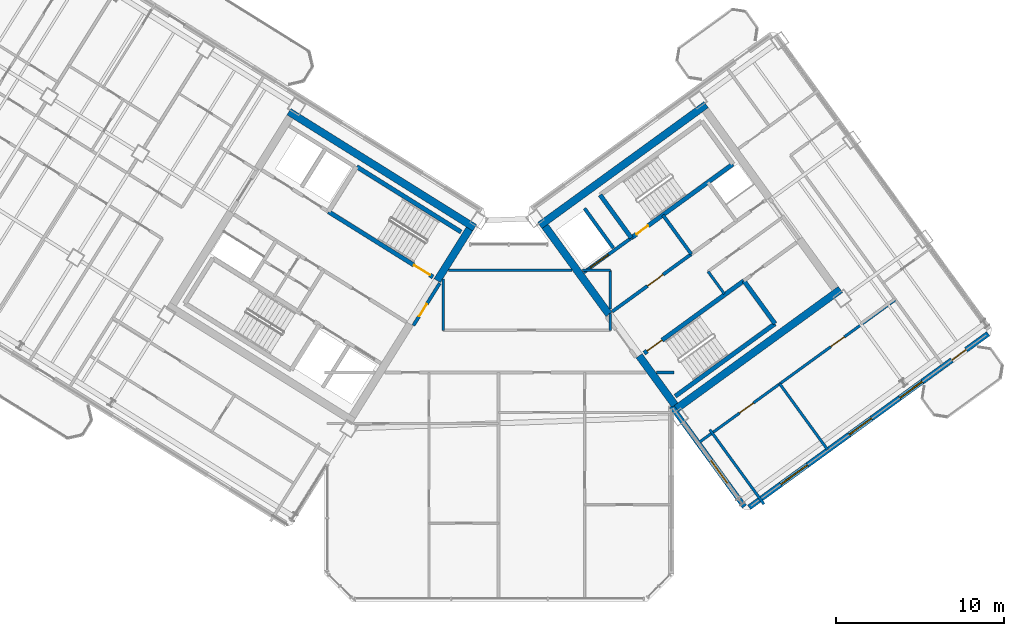
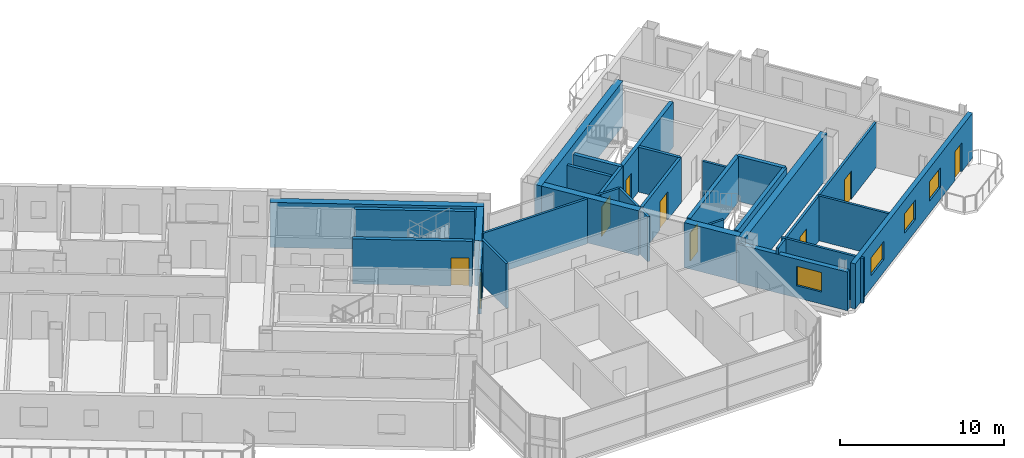
# One storey, part 19 of 29: 30 walls, 9 doors, 4 windows, 13 openings.
"""IFC4 building model written with IfcOpenShell, lengths in metres."""

import ifcopenshell
import ifcopenshell.guid

model = None  # the IFC model being written
_history = None  # IfcOwnerHistory: only IFC2X3 demands one
_inside = {}  # id of a spatial element -> (the spatial element, [elements in it])
_under = {}  # id of a project, library or spatial element -> (it, [spatial elements below it])
_declared = {}  # id of a project -> (the project, [libraries it declares])
_typed = {}  # id of a type object -> (the type object, [elements of that type])
_made_of = {}  # id of a material, layer set ... -> (it, [elements and type objects made of it])


def new_model(schema):
    """Start an empty IFC model of exactly this schema.

    Asked for "IFC4X3", IfcOpenShell would pick the latest addendum, in which some entities
    have other attributes; the version numbers below select the first issue.
    IFC2X3 requires an IfcOwnerHistory on every rooted entity: one is made here for all.
    """
    global model, _history
    if schema == "IFC4X3":
        model = ifcopenshell.file(schema_version=(4, 3, 0, 0))
    else:
        model = ifcopenshell.file(schema=schema)
    _inside.clear()
    _under.clear()
    _declared.clear()
    _typed.clear()
    _made_of.clear()
    _history = None
    if model.schema == "IFC2X3":
        org = make("IfcOrganization", Name="unknown")
        user = make(
            "IfcPersonAndOrganization",
            ThePerson=make("IfcPerson", FamilyName="unknown"),
            TheOrganization=org,
        )
        app = make(
            "IfcApplication",
            ApplicationDeveloper=org,
            Version="unknown",
            ApplicationFullName="unknown",
            ApplicationIdentifier="unknown",
        )
        _history = make(
            "IfcOwnerHistory",
            OwningUser=user,
            OwningApplication=app,
            ChangeAction="ADDED",
            CreationDate=0,
        )
    return model


def make(cls, **values):
    """One entity of the class cls with the attributes given. An attribute that is None is left unset."""
    return model.create_entity(
        cls, **{name: value for name, value in values.items() if value is not None}
    )


def rooted(cls, **values):
    """An entity with a GlobalId (a new one), such as an element, a storey or a relation."""
    return make(cls, GlobalId=ifcopenshell.guid.new(), OwnerHistory=_history, **values)


def si_unit(unit_type, name, prefix=None):
    """IfcSIUnit, for example si_unit("LENGTHUNIT", "METRE", prefix="MILLI")."""
    return make("IfcSIUnit", UnitType=unit_type, Prefix=prefix, Name=name)


def assignment(units):
    """IfcUnitAssignment: the units of a project."""
    return None if units is None else make("IfcUnitAssignment", Units=units)


def point(xyz):
    """IfcCartesianPoint."""
    return None if xyz is None else make("IfcCartesianPoint", Coordinates=xyz)


def direction(xyz):
    """IfcDirection."""
    return None if xyz is None else make("IfcDirection", DirectionRatios=xyz)


def frame(location, z_axis=None, x_axis=None):
    """IfcAxis2Placement3D, a coordinate frame: its origin and axes. An axis left out is left unset."""
    return make(
        "IfcAxis2Placement3D",
        Location=point(location),
        Axis=direction(z_axis),
        RefDirection=direction(x_axis),
    )


def frame_2d(location, x_axis=None):
    """IfcAxis2Placement2D, a coordinate frame in the plane: its origin and x axis."""
    return make(
        "IfcAxis2Placement2D", Location=point(location), RefDirection=direction(x_axis)
    )


def origin():
    """The frame at (0, 0, 0) with its axes left unset."""
    return frame((0.0, 0.0, 0.0))


def place(relative_to, where):
    """IfcLocalPlacement: puts the frame where relative to a parent placement (None: the world)."""
    return make(
        "IfcLocalPlacement", PlacementRelTo=relative_to, RelativePlacement=where
    )


def context(
    kind, dimensions, precision=None, world=None, true_north=None, identifier=None
):
    """IfcGeometricRepresentationContext, for example the 3D "Model" context."""
    return make(
        "IfcGeometricRepresentationContext",
        ContextIdentifier=identifier,
        ContextType=kind,
        CoordinateSpaceDimension=dimensions,
        Precision=precision,
        WorldCoordinateSystem=world,
        TrueNorth=true_north,
    )


def subcontext(parent, identifier, kind, view, scale=None):
    """IfcGeometricRepresentationSubContext, for example "Body" below "Model"."""
    return make(
        "IfcGeometricRepresentationSubContext",
        ContextIdentifier=identifier,
        ContextType=kind,
        ParentContext=parent,
        TargetScale=scale,
        TargetView=view,
    )


def project(units=None, contexts=None):
    """IfcProject with its units and contexts."""
    return rooted(
        "IfcProject",
        Name="project",
        RepresentationContexts=contexts,
        UnitsInContext=assignment(units),
    )


def spatial(cls, under=None, at=None, **own):
    """A site, building, storey or space (cls), placed at a placement, below another one or the project."""
    s = rooted(cls, ObjectPlacement=at, **own)
    if under is not None:
        _under.setdefault(under.id(), (under, []))[1].append(s)
    return s


def profile(cls, at=None, kind="AREA", **sizes):
    """A parametric profile (cls). Its sizes go by their IFC names, for example OverallWidth=200.0."""
    return make(cls, ProfileType=kind, Position=at, **sizes)


def rectangle(**sizes):
    """IfcRectangleProfileDef."""
    return profile("IfcRectangleProfileDef", **sizes)


def extrude(swept, where, along, depth):
    """IfcExtrudedAreaSolid: the profile swept, set in the frame where, extruded along a direction by depth."""
    return make(
        "IfcExtrudedAreaSolid",
        SweptArea=swept,
        Position=where,
        ExtrudedDirection=direction(along),
        Depth=depth,
    )


def shape(context_of_items, identifier, shape_type, items):
    """IfcShapeRepresentation: the items that make up one representation, for example the "Body"."""
    return make(
        "IfcShapeRepresentation",
        ContextOfItems=context_of_items,
        RepresentationIdentifier=identifier,
        RepresentationType=shape_type,
        Items=items,
    )


def source(mapping_origin, context_of_items, identifier, shape_type, items):
    """IfcRepresentationMap: a shape defined once, which mapped items show again and again."""
    return make(
        "IfcRepresentationMap",
        MappingOrigin=mapping_origin,
        MappedRepresentation=shape(context_of_items, identifier, shape_type, items),
    )


def transform(
    local_origin,
    x_axis=None,
    y_axis=None,
    z_axis=None,
    scale=None,
    scale2=None,
    scale3=None,
    uniform=True,
):
    """IfcCartesianTransformationOperator3D, or its non-uniform kind. x_axis, y_axis, z_axis: its Axis1, 2, 3."""
    if uniform:
        return make(
            "IfcCartesianTransformationOperator3D",
            Axis1=direction(x_axis),
            Axis2=direction(y_axis),
            LocalOrigin=point(local_origin),
            Scale=scale,
            Axis3=direction(z_axis),
        )
    return make(
        "IfcCartesianTransformationOperator3DnonUniform",
        Axis1=direction(x_axis),
        Axis2=direction(y_axis),
        LocalOrigin=point(local_origin),
        Scale=scale,
        Axis3=direction(z_axis),
        Scale2=scale2,
        Scale3=scale3,
    )


def mapped(mapping_source, mapping_target):
    """IfcMappedItem: shows the shape of a source again, moved by a transform."""
    return make(
        "IfcMappedItem", MappingSource=mapping_source, MappingTarget=mapping_target
    )


def material(Name=None, Category=None):
    """IfcMaterial."""
    return make("IfcMaterial", Name=Name, Category=Category)


def layer(
    of_material, thickness, ventilated=None, Name=None, Category=None, Priority=None
):
    """IfcMaterialLayer: one layer of a wall or slab, of a material (None: an air gap)."""
    return make(
        "IfcMaterialLayer",
        Material=of_material,
        LayerThickness=thickness,
        IsVentilated=ventilated,
        Name=Name,
        Category=Category,
        Priority=Priority,
    )


def layer_set(layers, Name=None):
    """IfcMaterialLayerSet."""
    return make("IfcMaterialLayerSet", MaterialLayers=layers, LayerSetName=Name)


def made_of(thing, what):
    """Note that an element or type object is made of a material, layer set ...; save() writes the relation."""
    if what is not None:
        _made_of.setdefault(what.id(), (what, []))[1].append(thing)
    return thing


def type_object(cls, material=None, **own):
    """A type object (cls), such as IfcWallType, which elements share."""
    return made_of(rooted(cls, **own), material)


def element(
    cls,
    number,
    at=None,
    inside=None,
    cuts=None,
    type_object=None,
    material=None,
    context=None,
    identifier="Body",
    shape_type=None,
    held_by="IfcProductDefinitionShape",
    body=None,
    shapes=None,
    **own,
):
    """One element of the class cls, such as IfcWall. Its Tag is "e" and its number.

    at: its placement. inside: the storey or other place that contains it. cuts: it is an
    opening in that element (IfcRelVoidsElement). A single representation is given by context,
    identifier, shape_type and body (its items); several are given by shapes. held_by: the class
    of the entity that holds the representations. save() writes the other relations.
    """
    e = rooted(cls, Tag="e%d" % number, ObjectPlacement=at, **own)
    if body is not None:
        shapes = [shape(context, identifier, shape_type, body)]
    if shapes is not None:
        e.Representation = make(held_by, Representations=shapes)
    if inside is not None:
        _inside.setdefault(inside.id(), (inside, []))[1].append(e)
    if cuts is not None:
        rooted(
            "IfcRelVoidsElement", RelatingBuildingElement=cuts, RelatedOpeningElement=e
        )
    if type_object is not None:
        _typed.setdefault(type_object.id(), (type_object, []))[1].append(e)
    return made_of(e, material)


def fill(opening, filler):
    """IfcRelFillsElement: the door or window that sits in an opening."""
    return rooted(
        "IfcRelFillsElement",
        RelatingOpeningElement=opening,
        RelatedBuildingElement=filler,
    )


def aggregate(whole, parts):
    """IfcRelAggregates: a whole, such as a stair, and the parts it consists of."""
    return rooted("IfcRelAggregates", RelatingObject=whole, RelatedObjects=parts)


def save(model, path):
    """Write the relations noted so far, then the file.

    IfcRelAggregates (storeys below a building ...), IfcRelContainedInSpatialStructure (elements
    in a storey), IfcRelDefinesByType, IfcRelAssociatesMaterial and IfcRelDeclares: one each for
    every whole, place, type object, material and project.
    """
    for whole, parts in _under.values():
        aggregate(whole, parts)
    for where, things in _inside.values():
        rooted(
            "IfcRelContainedInSpatialStructure",
            RelatedElements=things,
            RelatingStructure=where,
        )
    for kind, things in _typed.values():
        rooted("IfcRelDefinesByType", RelatedObjects=things, RelatingType=kind)
    for what, things in _made_of.values():
        rooted("IfcRelAssociatesMaterial", RelatedObjects=things, RelatingMaterial=what)
    for by, libraries in _declared.values():
        rooted("IfcRelDeclares", RelatingContext=by, RelatedDefinitions=libraries)
    model.write(path)


model = new_model("IFC4")

# Units and contexts
model_context = context("Model", 3, precision=1e-05, world=origin(), true_north=direction((0.0, 1.0)))
body_context = subcontext(model_context, "Body", "Model", "MODEL_VIEW")
ifc_project = project(units=[si_unit("LENGTHUNIT", "METRE"), si_unit("AREAUNIT", "SQUARE_METRE"), si_unit("VOLUMEUNIT", "CUBIC_METRE"), si_unit("PLANEANGLEUNIT", "RADIAN"), si_unit("MASSUNIT", "GRAM", prefix="KILO")], contexts=[model_context])

# Site, building, storey
site_placement = place(None, origin())
site = spatial("IfcSite", under=ifc_project, at=site_placement, CompositionType="ELEMENT")
building_placement = place(site_placement, origin())
building = spatial("IfcBuilding", under=site, at=building_placement, Name="Tlacorven Tower", CompositionType="ELEMENT")
storey_placement = place(building_placement, frame((0.0, 0.0, 238.5)))
storey = spatial("IfcBuildingStorey", under=building, at=storey_placement, Name="L60", CompositionType="ELEMENT", Elevation=238.5)

# Walls
ifc_material_1 = material(Name="Concrete C50/60", Category="concrete")
ifc_layer_1 = layer(ifc_material_1, 0.449951171875)
ifc_layer_set_1 = layer_set([ifc_layer_1], Name="Concrete C50/60")
wall_type_1 = type_object("IfcWallType", Name="WL-COR-450", PredefinedType="SHEAR", material=ifc_layer_set_1)
wall_1_placement = place(storey_placement, frame((40.53076171875, 24.036376953125, 0.0), z_axis=(0.0, 0.0, 1.0), x_axis=(-0.848048787466, 0.529918157905, 0.0)))
element("IfcWall", 1, at=wall_1_placement, inside=storey, type_object=wall_type_1, Name="L60 W core shear wall S1", PredefinedType="SHEAR", context=body_context, shape_type="SweptSolid", body=[
    extrude(rectangle(XDim=13.0400390625, YDim=0.449951171875, at=frame_2d((6.52001953125, 0.0))), origin(), (0.0, 0.0, 1.0), 3.35009765625),
])
wall_2_placement = place(storey_placement, frame((40.220703125, 23.96484375, 0.0), z_axis=(0.0, 0.0, 1.0), x_axis=(-0.529902075036, -0.848058836916, 0.0)))
element("IfcWall", 2, at=wall_2_placement, inside=storey, type_object=wall_type_1, Name="L60 W core end wall E1.1", PredefinedType="SHEAR", context=body_context, shape_type="SweptSolid", body=[
    extrude(rectangle(XDim=3.625, YDim=0.449951171875, at=frame_2d((1.8125, 0.0))), origin(), (0.0, 0.0, 1.0), 3.35009765625),
])
for number, where, z_axis, x_axis, name in (
    (3, (52.3994140625, 13.169189453125, 0.0), (0.0, 0.0, 1.0), (0.809022352778, 0.587777877013, 0.0), "L60 E core shear wall S1"),
    (4, (44.405517578125, 24.171630859375, 0.0), (0.0, 0.0, 1.0), (0.809012867805, 0.587790931986, 0.0), "L60 E core shear wall S2"),
):
    element("IfcWall", number, at=place(storey_placement, frame(where, z_axis=z_axis, x_axis=x_axis)), inside=storey, type_object=wall_type_1, Name=name, PredefinedType="SHEAR", context=body_context, shape_type="SweptSolid", body=[
        extrude(rectangle(XDim=12.239990234375, YDim=0.449951171875, at=frame_2d((6.1201171875, 0.0))), origin(), (0.0, 0.0, 1.0), 3.35009765625),
    ])
wall_3_placement = place(storey_placement, frame((52.44921875, 13.4833984375, 0.0), z_axis=(0.0, 0.0, 1.0), x_axis=(-0.587819244441, 0.808992296542, 0.0)))
element("IfcWall", 5, at=wall_3_placement, inside=storey, type_object=wall_type_1, Name="L60 E core end wall E1.1", PredefinedType="SHEAR", context=body_context, shape_type="SweptSolid", body=[
    extrude(rectangle(XDim=3.625, YDim=0.449951171875, at=frame_2d((1.8125, 0.0))), origin(), (0.0, 0.0, 1.0), 3.35009765625),
])
wall_4_placement = place(storey_placement, frame((48.525634765625, 18.883544921875, 0.0), z_axis=(0.0, 0.0, 1.0), x_axis=(-0.587774812919, 0.809024578921, 0.0)))
element("IfcWall", 6, at=wall_4_placement, inside=storey, type_object=wall_type_1, Name="L60 E core end wall E1.2", PredefinedType="SHEAR", context=body_context, shape_type="SweptSolid", body=[
    extrude(rectangle(XDim=6.47509765625, YDim=0.449951171875, at=frame_2d((3.237548828125, 0.0))), origin(), (0.0, 0.0, 1.0), 3.35009765625),
])
ifc_material_2 = material(Name="Gypsum plasterboard acoustic partition", Category="gypsum")
ifc_layer_2 = layer(ifc_material_2, 0.159912109375)
ifc_layer_set_2 = layer_set([ifc_layer_2], Name="Gypsum plasterboard acoustic partition")
wall_type_2 = type_object("IfcWallType", Name="WL-DEM-160", PredefinedType="PARTITIONING", material=ifc_layer_set_2)
wall_5_placement = place(storey_placement, frame((55.390869140625, 20.1015625, 0.0), z_axis=(0.0, 0.0, 1.0), x_axis=(-0.58778447739, 0.809017557374, 0.0)))
element("IfcWall", 7, at=wall_5_placement, inside=storey, type_object=wall_type_2, Name="L60 partition 32", PredefinedType="PARTITIONING", context=body_context, shape_type="SweptSolid", body=[
    extrude(rectangle(XDim=1.64990234375, YDim=0.159912109375, at=frame_2d((0.824951171875, 0.0))), origin(), (0.0, 0.0, 1.0), 3.340087890625),
])
wall_6_placement = place(storey_placement, frame((51.353515625, 15.419921875, 0.0), z_axis=(0.0, 0.0, 1.0), x_axis=(1.0, 0.0, 0.0)))
element("IfcWall", 8, at=wall_6_placement, inside=storey, type_object=wall_type_2, Name="L60 Knuckle Corridor South Wall", PredefinedType="PARTITIONING", context=body_context, shape_type="SweptSolid", body=[
    extrude(rectangle(XDim=1.04638671875, YDim=0.159912109375, at=frame_2d((0.523193359375, 0.0))), origin(), (0.0, 0.0, 1.0), 3.340087890625),
])
wall_7_placement = place(storey_placement, frame((38.64990234375, 17.929931640625, 0.0), z_axis=(0.0, 0.0, 1.0), x_axis=(0.0, 1.0, 0.0)))
element("IfcWall", 9, at=wall_7_placement, inside=storey, type_object=wall_type_2, Name="L60 partition 66", PredefinedType="PARTITIONING", context=body_context, shape_type="SweptSolid", body=[
    extrude(rectangle(XDim=3.045654296875, YDim=0.159912109375, at=frame_2d((1.52294921875, 0.0))), origin(), (0.0, 0.0, 1.0), 3.340087890625),
])
wall_8_placement = place(storey_placement, frame((48.60009765625, 17.929931640625, 0.0), z_axis=(0.0, 0.0, 1.0), x_axis=(0.0, 1.0, 0.0)))
element("IfcWall", 10, at=wall_8_placement, inside=storey, type_object=wall_type_2, Name="L60 partition 67", PredefinedType="PARTITIONING", context=body_context, shape_type="SweptSolid", body=[
    extrude(rectangle(XDim=0.99267578125, YDim=0.159912109375, at=frame_2d((0.496337890625, 0.0))), origin(), (0.0, 0.0, 1.0), 3.340087890625),
])
wall_9_placement = place(storey_placement, frame((48.60009765625, 19.2099609375, 0.0), z_axis=(0.0, 0.0, 1.0), x_axis=(0.0, 1.0, 0.0)))
element("IfcWall", 11, at=wall_9_placement, inside=storey, type_object=wall_type_2, Name="L60 partition 67", PredefinedType="PARTITIONING", context=body_context, shape_type="SweptSolid", body=[
    extrude(rectangle(XDim=2.2900390625, YDim=0.159912109375, at=frame_2d((1.14501953125, 0.0))), origin(), (0.0, 0.0, 1.0), 3.340087890625),
])
wall_10_placement = place(storey_placement, frame((38.9775390625, 21.5, 0.0), z_axis=(0.0, 0.0, 1.0), x_axis=(1.0, 0.0, 0.0)))
element("IfcWall", 12, at=wall_10_placement, inside=storey, type_object=wall_type_2, Name="L60 partition 68", PredefinedType="PARTITIONING", context=body_context, shape_type="SweptSolid", body=[
    extrude(rectangle(XDim=7.335693359375, YDim=0.159912109375, at=frame_2d((3.66796875, 0.0))), origin(), (0.0, 0.0, 1.0), 3.340087890625),
])
wall_11_placement = place(storey_placement, frame((46.936279296875, 21.5, 0.0), z_axis=(0.0, 0.0, 1.0), x_axis=(1.0, 0.0, 0.0)))
element("IfcWall", 13, at=wall_11_placement, inside=storey, type_object=wall_type_2, Name="L60 partition 68", PredefinedType="PARTITIONING", context=body_context, shape_type="SweptSolid", body=[
    extrude(rectangle(XDim=1.663818359375, YDim=0.159912109375, at=frame_2d((0.83203125, 0.0))), origin(), (0.0, 0.0, 1.0), 3.340087890625),
])

# Wall, openings, doors
wall_12_placement = place(storey_placement, frame((53.70458984375, 11.1259765625, 0.0), z_axis=(0.0, 0.0, 1.0), x_axis=(0.809014504436, 0.587788679384, 0.0)))
wall_12 = element("IfcWall", 14, at=wall_12_placement, inside=storey, type_object=wall_type_2, Name="L60 partition 88", PredefinedType="PARTITIONING", context=body_context, shape_type="SweptSolid", body=[
    extrude(rectangle(XDim=14.669921875, YDim=0.159912109375, at=frame_2d((7.3349609375, 0.0))), origin(), (0.0, 0.0, 1.0), 3.340087890625),
])
opening_1_placement = place(wall_12_placement, frame((3.215087890625, 0.0, 0.0)))
opening_1 = element("IfcOpeningElement", 15, at=opening_1_placement, cuts=wall_12, Name="Opening D11", PredefinedType="OPENING", context=body_context, shape_type="SweptSolid", body=[
    extrude(rectangle(XDim=1.0, YDim=2.10009765625, at=frame_2d((0.5, 1.050048828125))), frame((0.0, 0.08984375, 0.0), z_axis=(0.0, -1.0, 0.0), x_axis=(1.0, 0.0, 0.0)), (0.0, 0.0, 1.0), 0.179931640625),
])
opening_2_placement = place(wall_12_placement, frame((9.9150390625, 0.0, 0.0)))
opening_2 = element("IfcOpeningElement", 16, at=opening_2_placement, cuts=wall_12, Name="Opening D11", PredefinedType="OPENING", context=body_context, shape_type="SweptSolid", body=[
    extrude(rectangle(XDim=1.0, YDim=2.10009765625, at=frame_2d((0.5, 1.050048828125))), frame((0.0, 0.08984375, 0.0), z_axis=(0.0, -1.0, 0.0), x_axis=(1.0, 0.0, 0.0)), (0.0, 0.0, 1.0), 0.179931640625),
])
ifc_material_3 = material(Name="Fire-rated steel door assembly", Category="steel")
door_type_1 = type_object("IfcDoorType", Name="DR-FLT-FD60-1000", OperationType="NOTDEFINED", PredefinedType="DOOR", material=ifc_material_3)
shared_shape_1 = source(origin(), body_context, "Body", "SweptSolid", [
    extrude(rectangle(XDim=1.0, YDim=2.10009765625, at=frame_2d((0.5, 1.050048828125))), frame((0.0, 0.02490234375, 0.0), z_axis=(0.0, -1.0, 0.0), x_axis=(1.0, 0.0, 0.0)), (0.0, 0.0, 1.0), 0.050048828125),
])
door_1_placement = place(opening_1_placement, origin())
door_1 = element("IfcDoor", 17, at=door_1_placement, inside=storey, type_object=door_type_1, Name="L60 door 060", OperationType="SINGLE_SWING_LEFT", OverallHeight=2.10009765625, OverallWidth=1.0, PredefinedType="DOOR", context=body_context, shape_type="MappedRepresentation", body=[
    mapped(shared_shape_1, transform((0.0, 0.0, 0.0), scale=1.0)),
])
fill(opening_1, door_1)
door_2_placement = place(opening_2_placement, origin())
door_2 = element("IfcDoor", 18, at=door_2_placement, inside=storey, type_object=door_type_1, Name="L60 door 061", OperationType="SINGLE_SWING_RIGHT", OverallHeight=2.10009765625, OverallWidth=1.0, PredefinedType="DOOR", context=body_context, shape_type="MappedRepresentation", body=[
    mapped(shared_shape_1, transform((0.0, 0.0, 0.0), scale=1.0)),
])
fill(opening_2, door_2)

# Walls
wall_13_placement = place(storey_placement, frame((57.747314453125, 7.586181640625, 0.0), z_axis=(0.0, 0.0, 1.0), x_axis=(-0.587784893399, 0.809017255126, 0.0)))
element("IfcWall", 19, at=wall_13_placement, inside=storey, type_object=wall_type_2, Name="L60 EC West Throat Wall", PredefinedType="PARTITIONING", context=body_context, shape_type="SweptSolid", body=[
    extrude(rectangle(XDim=5.480224609375, YDim=0.159912109375, at=frame_2d((2.740234375, 0.0))), origin(), (0.0, 0.0, 1.0), 3.340087890625),
])
wall_14_placement = place(storey_placement, frame((61.538818359375, 10.822998046875, 0.0), z_axis=(0.0, 0.0, 1.0), x_axis=(-0.587785532001, 0.809016791155, 0.0)))
element("IfcWall", 20, at=wall_14_placement, inside=storey, type_object=wall_type_2, Name="L60 EC Demising Wall 1", PredefinedType="PARTITIONING", context=body_context, shape_type="SweptSolid", body=[
    extrude(rectangle(XDim=4.85009765625, YDim=0.159912109375, at=frame_2d((2.425048828125, 0.0))), origin(), (0.0, 0.0, 1.0), 3.340087890625),
])

# Wall, openings, door, windows
ifc_material_4 = material(Name="Precast concrete C45/55", Category="concrete")
ifc_layer_3 = layer(ifc_material_4, 0.320068359375)
ifc_layer_set_3 = layer_set([ifc_layer_3], Name="Precast concrete C45/55")
wall_type_3 = type_object("IfcWallType", Name="WL-EXT-320", PredefinedType="STANDARD", material=ifc_layer_set_3)
wall_15_placement = place(storey_placement, frame((71.097900390625, 17.73095703125, 0.0), z_axis=(0.0, 0.0, 1.0), x_axis=(-0.809021120468, -0.587779573171, 0.0)))
wall_15 = element("IfcWall", 21, at=wall_15_placement, inside=storey, type_object=wall_type_3, Name="L60 Masonry-Frame Recessed Facade Wall 6", PredefinedType="STANDARD", context=body_context, shape_type="SweptSolid", body=[
    extrude(rectangle(XDim=17.587646484375, YDim=0.320068359375, at=frame_2d((8.7939453125, 0.0))), origin(), (0.0, 0.0, 1.0), 3.35009765625),
])
opening_3_placement = place(wall_15_placement, frame((1.623779296875, 0.0, 0.0)))
opening_3 = element("IfcOpeningElement", 22, at=opening_3_placement, cuts=wall_15, Name="Opening D06", PredefinedType="OPENING", context=body_context, shape_type="SweptSolid", body=[
    extrude(rectangle(XDim=1.050048828125, YDim=2.14990234375, at=frame_2d((0.52490234375, 1.074951171875))), frame((0.0, 0.169921875, 0.0), z_axis=(0.0, -1.0, 0.0), x_axis=(1.0, 0.0, 0.0)), (0.0, 0.0, 1.0), 0.340087890625),
])
opening_4_placement = place(wall_15_placement, frame((4.851318359375, 0.0, 0.89990234375)))
opening_4 = element("IfcOpeningElement", 23, at=opening_4_placement, cuts=wall_15, Name="Opening WN07", PredefinedType="OPENING", context=body_context, shape_type="SweptSolid", body=[
    extrude(rectangle(XDim=1.64990234375, YDim=1.449951171875, at=frame_2d((0.824951171875, 0.72509765625))), frame((0.0, 0.169921875, 0.0), z_axis=(0.0, -1.0, 0.0), x_axis=(1.0, 0.0, 0.0)), (0.0, 0.0, 1.0), 0.340087890625),
])
opening_5_placement = place(wall_15_placement, frame((8.576171875, 0.0, 0.89990234375)))
opening_5 = element("IfcOpeningElement", 24, at=opening_5_placement, cuts=wall_15, Name="Opening WN07", PredefinedType="OPENING", context=body_context, shape_type="SweptSolid", body=[
    extrude(rectangle(XDim=1.64990234375, YDim=1.449951171875, at=frame_2d((0.824951171875, 0.72509765625))), frame((0.0, 0.169921875, 0.0), z_axis=(0.0, -1.0, 0.0), x_axis=(1.0, 0.0, 0.0)), (0.0, 0.0, 1.0), 0.340087890625),
])
opening_6_placement = place(wall_15_placement, frame((13.3037109375, 0.0, 0.949951171875)))
opening_6 = element("IfcOpeningElement", 25, at=opening_6_placement, cuts=wall_15, Name="Opening WN09", PredefinedType="OPENING", context=body_context, shape_type="SweptSolid", body=[
    extrude(rectangle(XDim=1.949951171875, YDim=1.35009765625, at=frame_2d((0.97509765625, 0.675048828125))), frame((0.0, 0.169921875, 0.0), z_axis=(0.0, -1.0, 0.0), x_axis=(1.0, 0.0, 0.0)), (0.0, 0.0, 1.0), 0.340087890625),
])
ifc_material_5 = material(Name="Powder-coated aluminium and timber door", Category="wood")
door_type_2 = type_object("IfcDoorType", Name="DR-EXT-BALC-1050", OperationType="NOTDEFINED", PredefinedType="DOOR", material=ifc_material_5)
shared_shape_2 = source(origin(), body_context, "Body", "SweptSolid", [
    extrude(rectangle(XDim=1.050048828125, YDim=2.14990234375, at=frame_2d((0.52490234375, 1.074951171875))), frame((0.0, 0.02490234375, 0.0), z_axis=(0.0, -1.0, 0.0), x_axis=(1.0, 0.0, 0.0)), (0.0, 0.0, 1.0), 0.050048828125),
])
door_3_placement = place(opening_3_placement, origin())
door_3 = element("IfcDoor", 26, at=door_3_placement, inside=storey, type_object=door_type_2, Name="L60 Outdoor Access Door BAL-L60-E-OUT", OperationType="SINGLE_SWING_LEFT", OverallHeight=2.14990234375, OverallWidth=1.050048828125, PredefinedType="DOOR", context=body_context, shape_type="MappedRepresentation", body=[
    mapped(shared_shape_2, transform((0.0, 0.0, 0.0), scale=1.0)),
])
fill(opening_3, door_3)
ifc_material_6 = material(Name="Dark solar low-E double glazing in anodised aluminium frame", Category="aluminium")
window_type_1 = type_object("IfcWindowType", Name="WN-APT-1650X1600", PartitioningType="SINGLE_PANEL", PredefinedType="WINDOW", material=ifc_material_6)
shared_shape_3 = source(origin(), body_context, "Body", "SweptSolid", [
    extrude(rectangle(XDim=1.64990234375, YDim=1.449951171875, at=frame_2d((0.824951171875, 0.72509765625))), frame((0.0, 0.030029296875, 0.0), z_axis=(0.0, -1.0, 0.0), x_axis=(1.0, 0.0, 0.0)), (0.0, 0.0, 1.0), 0.06005859375),
])
window_1_placement = place(opening_4_placement, origin())
window_1 = element("IfcWindow", 27, at=window_1_placement, inside=storey, type_object=window_type_1, Name="L60 Recessed Masonry-Frame Window L60-06.1", OverallHeight=1.449951171875, OverallWidth=1.64990234375, PartitioningType="SINGLE_PANEL", PredefinedType="WINDOW", context=body_context, shape_type="MappedRepresentation", body=[
    mapped(shared_shape_3, transform((0.0, 0.0, 0.0), scale=1.0)),
])
fill(opening_4, window_1)
window_2_placement = place(opening_5_placement, origin())
window_2 = element("IfcWindow", 28, at=window_2_placement, inside=storey, type_object=window_type_1, Name="L60 Recessed Masonry-Frame Window L60-06.2", OverallHeight=1.449951171875, OverallWidth=1.64990234375, PartitioningType="SINGLE_PANEL", PredefinedType="WINDOW", context=body_context, shape_type="MappedRepresentation", body=[
    mapped(shared_shape_3, transform((0.0, 0.0, 0.0), scale=1.0)),
])
fill(opening_5, window_2)
window_type_2 = type_object("IfcWindowType", Name="WN-GAL-1950X1450", PartitioningType="SINGLE_PANEL", PredefinedType="WINDOW", material=ifc_material_6)
shared_shape_4 = source(origin(), body_context, "Body", "SweptSolid", [
    extrude(rectangle(XDim=1.949951171875, YDim=1.35009765625, at=frame_2d((0.97509765625, 0.675048828125))), frame((0.0, 0.030029296875, 0.0), z_axis=(0.0, -1.0, 0.0), x_axis=(1.0, 0.0, 0.0)), (0.0, 0.0, 1.0), 0.06005859375),
])
window_3_placement = place(opening_6_placement, origin())
window_3 = element("IfcWindow", 29, at=window_3_placement, inside=storey, type_object=window_type_2, Name="L60 Recessed Masonry-Frame Window L60-06.3", OverallHeight=1.35009765625, OverallWidth=1.949951171875, PartitioningType="SINGLE_PANEL", PredefinedType="WINDOW", context=body_context, shape_type="MappedRepresentation", body=[
    mapped(shared_shape_4, transform((0.0, 0.0, 0.0), scale=1.0)),
])
fill(opening_6, window_3)

# Wall, opening, window
wall_16_placement = place(storey_placement, frame((56.5810546875, 7.43896484375, 0.0), z_axis=(0.0, 0.0, 1.0), x_axis=(-0.587776558368, 0.809023310809, 0.0)))
wall_16 = element("IfcWall", 30, at=wall_16_placement, inside=storey, type_object=wall_type_3, Name="L60 Masonry-Frame Recessed Facade Wall 7", PredefinedType="STANDARD", context=body_context, shape_type="SweptSolid", body=[
    extrude(rectangle(XDim=7.385498046875, YDim=0.320068359375, at=frame_2d((3.69287109375, 0.0))), origin(), (0.0, 0.0, 1.0), 2.875),
])
opening_7_placement = place(wall_16_placement, frame((1.731201171875, 0.0, 0.89990234375)))
opening_7 = element("IfcOpeningElement", 31, at=opening_7_placement, cuts=wall_16, Name="Opening WN07", PredefinedType="OPENING", context=body_context, shape_type="SweptSolid", body=[
    extrude(rectangle(XDim=1.64990234375, YDim=1.449951171875, at=frame_2d((0.824951171875, 0.72509765625))), frame((0.0, 0.169921875, 0.0), z_axis=(0.0, -1.0, 0.0), x_axis=(1.0, 0.0, 0.0)), (0.0, 0.0, 1.0), 0.340087890625),
])
window_4_placement = place(opening_7_placement, origin())
window_4 = element("IfcWindow", 32, at=window_4_placement, inside=storey, type_object=window_type_1, Name="L60 Recessed Masonry-Frame Window L60-07.1", OverallHeight=1.449951171875, OverallWidth=1.64990234375, PartitioningType="SINGLE_PANEL", PredefinedType="WINDOW", context=body_context, shape_type="MappedRepresentation", body=[
    mapped(shared_shape_3, transform((0.0, 0.0, 0.0), scale=1.0)),
])
fill(opening_7, window_4)

# Wall, opening, door
ifc_material_7 = material(Name="Concrete C40/50", Category="concrete")
ifc_layer_4 = layer(ifc_material_7, 0.199951171875)
ifc_layer_set_4 = layer_set([ifc_layer_4], Name="Concrete C40/50")
wall_type_4 = type_object("IfcWallType", Name="WL-SHF-200", PredefinedType="STANDARD", material=ifc_layer_set_4)
wall_17_placement = place(storey_placement, frame((47.02490234375, 21.3779296875, 0.0), z_axis=(0.0, 0.0, 1.0), x_axis=(0.809052869724, 0.587735870941, 0.0)))
wall_17 = element("IfcWall", 33, at=wall_17_placement, inside=storey, type_object=wall_type_4, Name="L60 Core E Firefighting Lift Shaft Front Wall", PredefinedType="STANDARD", context=body_context, shape_type="SweptSolid", body=[
    extrude(rectangle(XDim=3.498046875, YDim=0.199951171875, at=frame_2d((1.7490234375, 0.0))), origin(), (0.0, 0.0, 1.0), 3.340087890625),
])
opening_8_placement = place(wall_17_placement, frame((0.508056640625, 0.0, 0.0)))
opening_8 = element("IfcOpeningElement", 34, at=opening_8_placement, cuts=wall_17, Name="Opening LD03", PredefinedType="OPENING", context=body_context, shape_type="SweptSolid", body=[
    extrude(rectangle(XDim=1.300048828125, YDim=2.199951171875, at=frame_2d((0.64990234375, 1.10009765625))), frame((0.0, 0.10986328125, 0.0), z_axis=(0.0, -1.0, 0.0), x_axis=(1.0, 0.0, 0.0)), (0.0, 0.0, 1.0), 0.219970703125),
])
door_type_3 = type_object("IfcDoorType", Name="DR-LFT-SLID-1300", OperationType="DOUBLE_DOOR_SLIDING", PredefinedType="DOOR", material=ifc_material_3)
shared_shape_5 = source(origin(), body_context, "Body", "SweptSolid", [
    extrude(rectangle(XDim=1.300048828125, YDim=2.199951171875, at=frame_2d((0.64990234375, 1.10009765625))), frame((0.0, 0.02490234375, 0.0), z_axis=(0.0, -1.0, 0.0), x_axis=(1.0, 0.0, 0.0)), (0.0, 0.0, 1.0), 0.050048828125),
])
door_4_placement = place(opening_8_placement, origin())
door_4 = element("IfcDoor", 35, at=door_4_placement, inside=storey, type_object=door_type_3, Name="L60 Lift FFL-E1 Sliding Landing Door", OperationType="DOUBLE_DOOR_SLIDING", OverallHeight=2.199951171875, OverallWidth=1.300048828125, PredefinedType="DOOR", context=body_context, shape_type="MappedRepresentation", body=[
    mapped(shared_shape_5, transform((0.0, 0.0, 0.0), scale=1.0)),
])
fill(opening_8, door_4)

wall_18_placement = place(storey_placement, frame((48.7177734375, 19.0478515625, 0.0), z_axis=(0.0, 0.0, 1.0), x_axis=(0.809017261719, 0.587784884325, 0.0)))
wall_18 = element("IfcWall", 36, at=wall_18_placement, inside=storey, type_object=wall_type_4, Name="L60 Core E Smoke Lobby Wall", PredefinedType="STANDARD", context=body_context, shape_type="SweptSolid", body=[
    extrude(rectangle(XDim=5.81787109375, YDim=0.199951171875, at=frame_2d((2.908935546875, 0.0))), origin(), (0.0, 0.0, 1.0), 3.340087890625),
])
opening_9_placement = place(wall_18_placement, frame((2.597900390625, 0.0, 0.0)))
opening_9 = element("IfcOpeningElement", 37, at=opening_9_placement, cuts=wall_18, Name="Opening D09", PredefinedType="OPENING", context=body_context, shape_type="SweptSolid", body=[
    extrude(rectangle(XDim=1.14990234375, YDim=2.10009765625, at=frame_2d((0.574951171875, 1.050048828125))), frame((0.0, 0.10986328125, 0.0), z_axis=(0.0, -1.0, 0.0), x_axis=(1.0, 0.0, 0.0)), (0.0, 0.0, 1.0), 0.219970703125),
])
door_type_4 = type_object("IfcDoorType", Name="DR-FFL-FD60-1150", OperationType="NOTDEFINED", PredefinedType="DOOR", material=ifc_material_3)
shared_shape_6 = source(origin(), body_context, "Body", "SweptSolid", [
    extrude(rectangle(XDim=1.14990234375, YDim=2.10009765625, at=frame_2d((0.574951171875, 1.050048828125))), frame((0.0, 0.02490234375, 0.0), z_axis=(0.0, -1.0, 0.0), x_axis=(1.0, 0.0, 0.0)), (0.0, 0.0, 1.0), 0.050048828125),
])
door_5_placement = place(opening_9_placement, origin())
door_5 = element("IfcDoor", 38, at=door_5_placement, inside=storey, type_object=door_type_4, Name="L60 Firefighting Lobby E Fire Door", OperationType="SINGLE_SWING_LEFT", OverallHeight=2.10009765625, OverallWidth=1.14990234375, PredefinedType="DOOR", context=body_context, shape_type="MappedRepresentation", body=[
    mapped(shared_shape_6, transform((0.0, 0.0, 0.0), scale=1.0)),
])
fill(opening_9, door_5)

# Walls
wall_19_placement = place(storey_placement, frame((48.78564453125, 22.830078125, 0.0), z_axis=(0.0, 0.0, 1.0), x_axis=(-0.587783856777, 0.809018008275, 0.0)))
element("IfcWall", 39, at=wall_19_placement, inside=storey, type_object=wall_type_4, Name="L60 partition 33", PredefinedType="STANDARD", context=body_context, shape_type="SweptSolid", body=[
    extrude(rectangle(XDim=2.919921875, YDim=0.199951171875, at=frame_2d((1.4599609375, 0.0))), origin(), (0.0, 0.0, 1.0), 3.340087890625),
])
wall_20_placement = place(storey_placement, frame((53.424560546875, 22.467529296875, 0.0), z_axis=(0.0, 0.0, 1.0), x_axis=(-0.5877230039, 0.809062216821, 0.0)))
element("IfcWall", 40, at=wall_20_placement, inside=storey, type_object=wall_type_4, Name="L60 partition 34", PredefinedType="STANDARD", context=body_context, shape_type="SweptSolid", body=[
    extrude(rectangle(XDim=2.8798828125, YDim=0.199951171875, at=frame_2d((1.43994140625, 0.0))), origin(), (0.0, 0.0, 1.0), 3.340087890625),
])

# Wall, opening, door
wall_21_placement = place(storey_placement, frame((38.451416015625, 20.737060546875, 0.0), z_axis=(0.0, 0.0, 1.0), x_axis=(-0.529924799939, -0.848044637038, 0.0)))
wall_21 = element("IfcWall", 41, at=wall_21_placement, inside=storey, type_object=wall_type_4, Name="L60 partition 63", PredefinedType="STANDARD", context=body_context, shape_type="SweptSolid", body=[
    extrude(rectangle(XDim=2.9599609375, YDim=0.199951171875, at=frame_2d((1.47998046875, 0.0))), origin(), (0.0, 0.0, 1.0), 3.340087890625),
])
opening_10_placement = place(wall_21_placement, frame((1.4599609375, 0.0, 0.0)))
opening_10 = element("IfcOpeningElement", 42, at=opening_10_placement, cuts=wall_21, Name="Opening D19", PredefinedType="OPENING", context=body_context, shape_type="SweptSolid", body=[
    extrude(rectangle(XDim=0.860107421875, YDim=2.050048828125, at=frame_2d((0.43017578125, 1.02490234375))), frame((0.0, 0.10986328125, 0.0), z_axis=(0.0, -1.0, 0.0), x_axis=(1.0, 0.0, 0.0)), (0.0, 0.0, 1.0), 0.219970703125),
])
door_type_5 = type_object("IfcDoorType", Name="DR-RSR-FD60-0860", OperationType="NOTDEFINED", PredefinedType="DOOR", material=ifc_material_3)
shared_shape_7 = source(origin(), body_context, "Body", "SweptSolid", [
    extrude(rectangle(XDim=0.860107421875, YDim=2.050048828125, at=frame_2d((0.43017578125, 1.02490234375))), frame((0.0, 0.02490234375, 0.0), z_axis=(0.0, -1.0, 0.0), x_axis=(1.0, 0.0, 0.0)), (0.0, 0.0, 1.0), 0.050048828125),
])
door_6_placement = place(opening_10_placement, frame((0.860107421875, 0.0, 0.0), z_axis=(0.0, 0.0, 1.0), x_axis=(-1.0, 0.0, 0.0)))
door_6 = element("IfcDoor", 43, at=door_6_placement, inside=storey, type_object=door_type_5, Name="L60 door 043", OperationType="SINGLE_SWING_LEFT", OverallHeight=2.050048828125, OverallWidth=0.860107421875, PredefinedType="DOOR", context=body_context, shape_type="MappedRepresentation", body=[
    mapped(shared_shape_7, transform((0.0, 0.0, 0.0), scale=1.0)),
])
fill(opening_10, door_6)

# Wall
ifc_layer_5 = layer(ifc_material_1, 0.260009765625)
ifc_layer_set_5 = layer_set([ifc_layer_5], Name="Concrete C50/60")
wall_type_5 = type_object("IfcWallType", Name="WL-STW-260", PredefinedType="SHEAR", material=ifc_layer_set_5)
wall_22_placement = place(storey_placement, frame((39.720947265625, 23.787841796875, 0.0), z_axis=(0.0, 0.0, 1.0), x_axis=(-0.848054434086, 0.529909121291, 0.0)))
element("IfcWall", 44, at=wall_22_placement, inside=storey, type_object=wall_type_5, Name="L60 Stair W2 Far Shear Wall", PredefinedType="SHEAR", context=body_context, shape_type="SweptSolid", body=[
    extrude(rectangle(XDim=7.330078125, YDim=0.260009765625, at=frame_2d((3.6650390625, 0.0))), origin(), (0.0, 0.0, 1.0), 3.35009765625),
])

# Wall, opening, door
wall_23_placement = place(storey_placement, frame((38.04638671875, 21.10791015625, 0.0), z_axis=(0.0, 0.0, 1.0), x_axis=(-0.848054434086, 0.529909121291, 0.0)))
wall_23 = element("IfcWall", 45, at=wall_23_placement, inside=storey, type_object=wall_type_5, Name="L60 Stair W2 Lobby Shear Wall", PredefinedType="SHEAR", context=body_context, shape_type="SweptSolid", body=[
    extrude(rectangle(XDim=7.330078125, YDim=0.260009765625, at=frame_2d((3.6650390625, 0.0))), origin(), (0.0, 0.0, 1.0), 3.35009765625),
])
opening_11_placement = place(wall_23_placement, frame((0.219970703125, 0.0, 0.0)))
opening_11 = element("IfcOpeningElement", 46, at=opening_11_placement, cuts=wall_23, Name="Opening D07", PredefinedType="OPENING", context=body_context, shape_type="SweptSolid", body=[
    extrude(rectangle(XDim=1.10009765625, YDim=2.10009765625, at=frame_2d((0.550048828125, 1.050048828125))), frame((0.0, 0.14013671875, 0.0), z_axis=(0.0, -1.0, 0.0), x_axis=(1.0, 0.0, 0.0)), (0.0, 0.0, 1.0), 0.280029296875),
])
door_type_6 = type_object("IfcDoorType", Name="DR-STR-FD90-1100", OperationType="NOTDEFINED", PredefinedType="DOOR", material=ifc_material_3)
shared_shape_8 = source(origin(), body_context, "Body", "SweptSolid", [
    extrude(rectangle(XDim=1.10009765625, YDim=2.10009765625, at=frame_2d((0.550048828125, 1.050048828125))), frame((0.0, 0.02490234375, 0.0), z_axis=(0.0, -1.0, 0.0), x_axis=(1.0, 0.0, 0.0)), (0.0, 0.0, 1.0), 0.050048828125),
])
door_7_placement = place(opening_11_placement, origin())
door_7 = element("IfcDoor", 47, at=door_7_placement, inside=storey, type_object=door_type_6, Name="L60 Exit Stair W2 Fire Door", OperationType="SINGLE_SWING_LEFT", OverallHeight=2.10009765625, OverallWidth=1.10009765625, PredefinedType="DOOR", context=body_context, shape_type="MappedRepresentation", body=[
    mapped(shared_shape_8, transform((0.0, 0.0, 0.0), scale=1.0)),
])
fill(opening_11, door_7)

wall_24_placement = place(storey_placement, frame((49.863037109375, 23.439697265625, 0.0), z_axis=(0.0, 0.0, 1.0), x_axis=(0.809003474932, 0.587803859759, 0.0)))
wall_24 = element("IfcWall", 48, at=wall_24_placement, inside=storey, type_object=wall_type_5, Name="L60 Stair E1 Lobby Shear Wall", PredefinedType="SHEAR", context=body_context, shape_type="SweptSolid", body=[
    extrude(rectangle(XDim=7.4599609375, YDim=0.260009765625, at=frame_2d((3.72998046875, 0.0))), origin(), (0.0, 0.0, 1.0), 3.35009765625),
])
opening_12_placement = place(wall_24_placement, frame((0.360107421875, 0.0, 0.0)))
opening_12 = element("IfcOpeningElement", 49, at=opening_12_placement, cuts=wall_24, Name="Opening D19", PredefinedType="OPENING", context=body_context, shape_type="SweptSolid", body=[
    extrude(rectangle(XDim=0.860107421875, YDim=2.050048828125, at=frame_2d((0.43017578125, 1.02490234375))), frame((0.0, 0.14013671875, 0.0), z_axis=(0.0, -1.0, 0.0), x_axis=(1.0, 0.0, 0.0)), (0.0, 0.0, 1.0), 0.280029296875),
])
door_8_placement = place(opening_12_placement, frame((0.860107421875, 0.0, 0.0), z_axis=(0.0, 0.0, 1.0), x_axis=(-1.0, 0.0, 0.0)))
door_8 = element("IfcDoor", 50, at=door_8_placement, inside=storey, type_object=door_type_5, Name="L60 Exit Stair E1 Fire Door", OperationType="SINGLE_SWING_LEFT", OverallHeight=2.050048828125, OverallWidth=0.860107421875, PredefinedType="DOOR", context=body_context, shape_type="MappedRepresentation", body=[
    mapped(shared_shape_7, transform((0.0, 0.0, 0.0), scale=1.0)),
])
fill(opening_12, door_8)

# Walls
wall_25_placement = place(storey_placement, frame((49.85498046875, 23.433837890625, 0.0), z_axis=(0.0, 0.0, 1.0), x_axis=(-0.58776738483, 0.809029975545, 0.0)))
element("IfcWall", 51, at=wall_25_placement, inside=storey, type_object=wall_type_5, Name="L60 Stair E1 West Shear Wall", PredefinedType="SHEAR", context=body_context, shape_type="SweptSolid", body=[
    extrude(rectangle(XDim=3.16015625, YDim=0.260009765625, at=frame_2d((1.580078125, 0.0))), origin(), (0.0, 0.0, 1.0), 3.35009765625),
])
wall_26_placement = place(storey_placement, frame((52.47216796875, 14.01318359375, 0.0), z_axis=(0.0, 0.0, 1.0), x_axis=(0.809028366311, 0.587769599847, 0.0)))
element("IfcWall", 52, at=wall_26_placement, inside=storey, type_object=wall_type_5, Name="L60 Stair E2 Far Shear Wall", PredefinedType="SHEAR", context=body_context, shape_type="SweptSolid", body=[
    extrude(rectangle(XDim=7.330078125, YDim=0.260009765625, at=frame_2d((3.6650390625, 0.0))), origin(), (0.0, 0.0, 1.0), 3.35009765625),
])

# Wall, opening, door
wall_27_placement = place(storey_placement, frame((50.61474609375, 16.569580078125, 0.0), z_axis=(0.0, 0.0, 1.0), x_axis=(0.809028366311, 0.587769599847, 0.0)))
wall_27 = element("IfcWall", 53, at=wall_27_placement, inside=storey, type_object=wall_type_5, Name="L60 Stair E2 Lobby Shear Wall", PredefinedType="SHEAR", context=body_context, shape_type="SweptSolid", body=[
    extrude(rectangle(XDim=7.330078125, YDim=0.260009765625, at=frame_2d((3.6650390625, 0.0))), origin(), (0.0, 0.0, 1.0), 3.35009765625),
])
opening_13_placement = place(wall_27_placement, frame((0.219970703125, 0.0, 0.0)))
opening_13 = element("IfcOpeningElement", 54, at=opening_13_placement, cuts=wall_27, Name="Opening D07", PredefinedType="OPENING", context=body_context, shape_type="SweptSolid", body=[
    extrude(rectangle(XDim=1.10009765625, YDim=2.10009765625, at=frame_2d((0.550048828125, 1.050048828125))), frame((0.0, 0.14013671875, 0.0), z_axis=(0.0, -1.0, 0.0), x_axis=(1.0, 0.0, 0.0)), (0.0, 0.0, 1.0), 0.280029296875),
])
door_9_placement = place(opening_13_placement, origin())
door_9 = element("IfcDoor", 55, at=door_9_placement, inside=storey, type_object=door_type_6, Name="L60 Exit Stair E2 Fire Door", OperationType="SINGLE_SWING_RIGHT", OverallHeight=2.10009765625, OverallWidth=1.10009765625, PredefinedType="DOOR", context=body_context, shape_type="MappedRepresentation", body=[
    mapped(shared_shape_8, transform((0.0, 0.0, 0.0), scale=1.0)),
])
fill(opening_13, door_9)

# Wall
wall_28_placement = place(storey_placement, frame((58.410400390625, 18.327392578125, 0.0), z_axis=(0.0, 0.0, 1.0), x_axis=(-0.58776738483, 0.809029975545, 0.0)))
element("IfcWall", 56, at=wall_28_placement, inside=storey, type_object=wall_type_5, Name="L60 Stair E2 East Shear Wall", PredefinedType="SHEAR", context=body_context, shape_type="SweptSolid", body=[
    extrude(rectangle(XDim=3.16015625, YDim=0.260009765625, at=frame_2d((1.580078125, 0.0))), origin(), (0.0, 0.0, 1.0), 3.35009765625),
])

save(model, "model.ifc")
